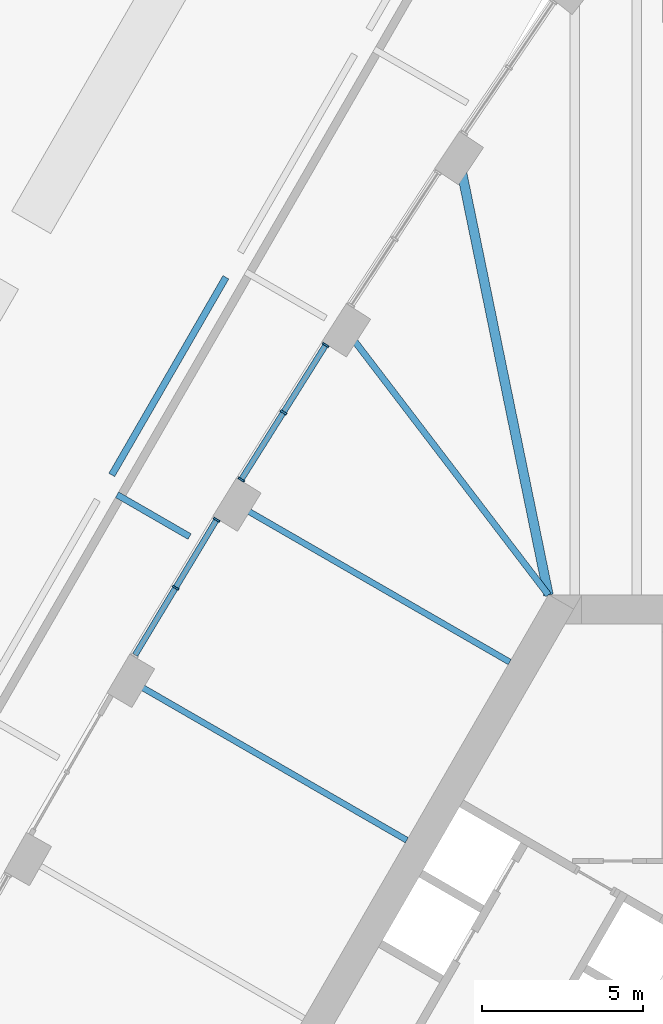
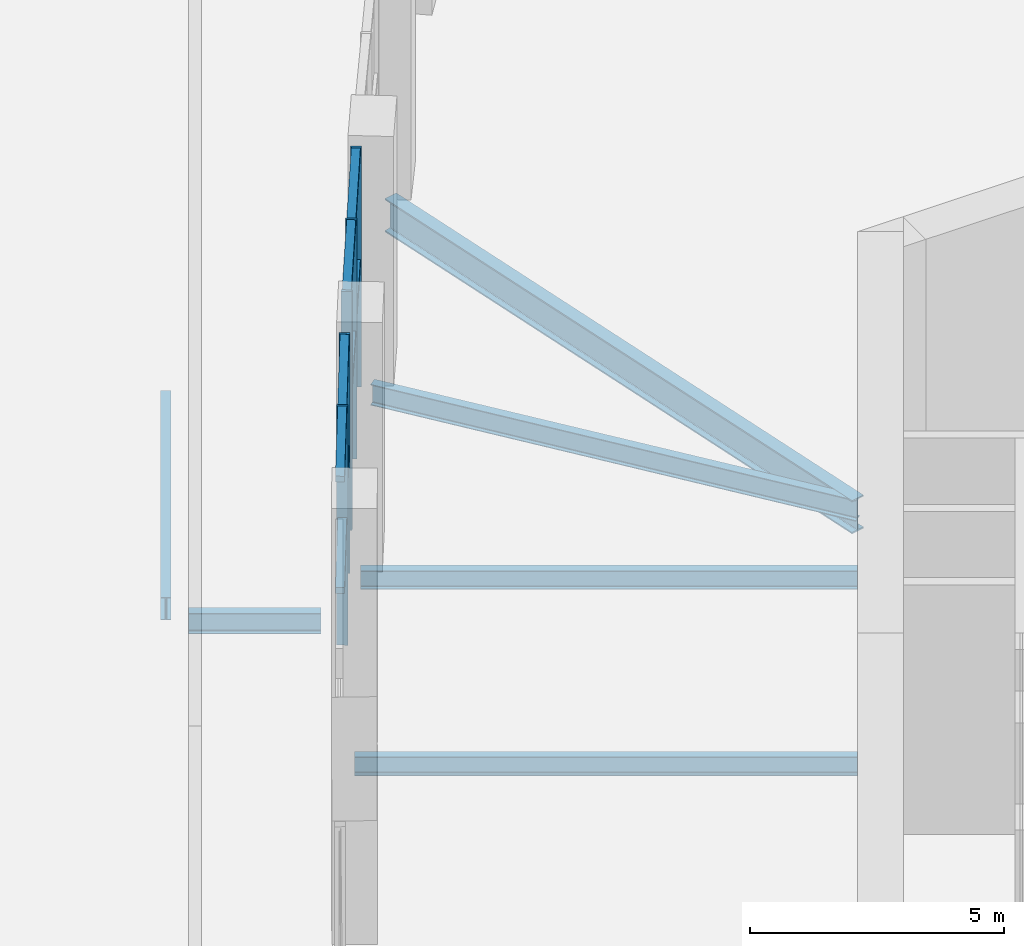
# One storey, part 10 of 41: 13 members, 6 beams, 1 element without a shape of its own.
"""IFC4 building model written with IfcOpenShell, lengths in metres."""

from ifc_helpers import new_model, si_unit, direction, frame, origin, origin_2d, place, context, subcontext, project, spatial, rectangle, i_section, extrude, material, material_profile, profile_set, type_object, element, aggregate, save


model = new_model("IFC4")

# Units and contexts
model_context = context("Model", 3, precision=1e-05, world=origin(), true_north=direction((0.0, 1.0)))
body_context = subcontext(model_context, "Body", "Model", "MODEL_VIEW")
ifc_project = project(units=[si_unit("LENGTHUNIT", "METRE"), si_unit("AREAUNIT", "SQUARE_METRE"), si_unit("VOLUMEUNIT", "CUBIC_METRE"), si_unit("PLANEANGLEUNIT", "RADIAN"), si_unit("MASSUNIT", "GRAM", prefix="KILO")], contexts=[model_context])

# Site, building, storey
site_placement = place(None, origin())
site = spatial("IfcSite", under=ifc_project, at=site_placement, CompositionType="ELEMENT")
building_placement = place(site_placement, origin())
building = spatial("IfcBuilding", under=site, at=building_placement, Name="Mestral Congress Tower", CompositionType="ELEMENT")
storey_placement = place(building_placement, frame((0.0, 0.0, 21.60009765625)))
storey = spatial("IfcBuildingStorey", under=building, at=storey_placement, Name="L04", CompositionType="ELEMENT", Elevation=21.60009765625)

# Curtain wall, members
ifc_material_1 = material(Name="Clear low-emissivity double glazing", Category="glass")
curtain_wall_type = type_object("IfcCurtainWallType", Name="Facade arrival lobby curtain wall", PredefinedType="USERDEFINED", material=ifc_material_1)
curtain_wall_placement = place(storey_placement, origin())
curtain_wall = element("IfcCurtainWall", 1, at=curtain_wall_placement, inside=storey, type_object=curtain_wall_type, Name="Facade arrival lobby curtain wall face 3", ObjectType="CURTAIN WALL", PredefinedType="USERDEFINED")
ifc_material_2 = material(Name="Anodised aluminium", Category="aluminium")
ifc_material_profile_1 = material_profile(ifc_material_2, rectangle(XDim=0.219970703125, YDim=0.06005859375, at=origin_2d()), Name="CW4 mullion 220 x 60")
ifc_profile_set_1 = profile_set([ifc_material_profile_1], Name="Anodised aluminium")
member_type_1 = type_object("IfcMemberType", Name="Facade arrival lobby curtain wall mullion", PredefinedType="MULLION", material=ifc_profile_set_1)
member_1_placement = place(storey_placement, frame((-12.181640625, 24.671142578125, 0.0), z_axis=(0.0, 0.0, 1.0), x_axis=(-0.846953079929, 0.531667640918, 0.0)))
member_1 = element("IfcMember", 2, at=member_1_placement, type_object=member_type_1, Name="Facade arrival lobby curtain wall mullion", PredefinedType="MULLION", context=body_context, shape_type="SweptSolid", body=[
    extrude(rectangle(XDim=0.219970703125, YDim=0.06005859375, at=origin_2d()), origin(), (0.0, 0.0, 1.0), 5.75),
])
member_2_placement = place(storey_placement, frame((-13.494384765625, 22.579833984375, 0.0), z_axis=(0.0, 0.0, 1.0), x_axis=(-0.846953079929, 0.531667640918, 0.0)))
member_2 = element("IfcMember", 3, at=member_2_placement, type_object=member_type_1, Name="Facade arrival lobby curtain wall mullion", PredefinedType="MULLION", context=body_context, shape_type="SweptSolid", body=[
    extrude(rectangle(XDim=0.219970703125, YDim=0.06005859375, at=origin_2d()), origin(), (0.0, 0.0, 1.0), 5.75),
])
member_3_placement = place(storey_placement, frame((-14.80712890625, 20.48876953125, 0.0), z_axis=(0.0, 0.0, 1.0), x_axis=(-0.846953079929, 0.531667640918, 0.0)))
member_3 = element("IfcMember", 4, at=member_3_placement, type_object=member_type_1, Name="Facade arrival lobby curtain wall mullion", PredefinedType="MULLION", context=body_context, shape_type="SweptSolid", body=[
    extrude(rectangle(XDim=0.219970703125, YDim=0.06005859375, at=origin_2d()), origin(), (0.0, 0.0, 1.0), 5.75),
])
member_4_placement = place(storey_placement, frame((-15.57568359375, 19.239013671875, 0.0), z_axis=(0.0, 0.0, 1.0), x_axis=(-0.856631086083, 0.515929435442, 0.0)))
member_4 = element("IfcMember", 5, at=member_4_placement, type_object=member_type_1, Name="Facade arrival lobby curtain wall mullion", PredefinedType="MULLION", context=body_context, shape_type="SweptSolid", body=[
    extrude(rectangle(XDim=0.219970703125, YDim=0.06005859375, at=origin_2d()), origin(), (0.0, 0.0, 1.0), 5.75),
])
member_5_placement = place(storey_placement, frame((-16.849609375, 17.123779296875, 0.0), z_axis=(0.0, 0.0, 1.0), x_axis=(-0.856631086083, 0.515929435442, 0.0)))
member_5 = element("IfcMember", 6, at=member_5_placement, type_object=member_type_1, Name="Facade arrival lobby curtain wall mullion", PredefinedType="MULLION", context=body_context, shape_type="SweptSolid", body=[
    extrude(rectangle(XDim=0.219970703125, YDim=0.06005859375, at=origin_2d()), origin(), (0.0, 0.0, 1.0), 5.75),
])
ifc_material_profile_2 = material_profile(ifc_material_2, rectangle(XDim=0.179931640625, YDim=0.139892578125, at=origin_2d()), Name="CW4 transom 180 x 140")
ifc_profile_set_2 = profile_set([ifc_material_profile_2], Name="Anodised aluminium")
member_type_2 = type_object("IfcMemberType", Name="Facade arrival lobby curtain wall transom", PredefinedType="USERDEFINED", material=ifc_profile_set_2)
member_6_placement = place(storey_placement, frame((-12.197509765625, 24.645751953125, 3.0), z_axis=(-0.531737706222, -0.846909092986, 0.0), x_axis=(0.846909092986, -0.531737706222, 0.0)))
member_6 = element("IfcMember", 7, at=member_6_placement, type_object=member_type_2, Name="Facade arrival lobby curtain wall transom", ObjectType="TRANSOM", PredefinedType="USERDEFINED", context=body_context, shape_type="SweptSolid", body=[
    extrude(rectangle(XDim=0.179931640625, YDim=0.139892578125, at=origin_2d()), origin(), (0.0, 0.0, 1.0), 2.4091796875),
])
member_7_placement = place(storey_placement, frame((-12.197509765625, 24.645751953125, 5.679931640625), z_axis=(-0.531737706222, -0.846909092986, 0.0), x_axis=(0.846909092986, -0.531737706222, 0.0)))
member_7 = element("IfcMember", 8, at=member_7_placement, type_object=member_type_2, Name="Facade arrival lobby curtain wall transom", ObjectType="TRANSOM", PredefinedType="USERDEFINED", context=body_context, shape_type="SweptSolid", body=[
    extrude(rectangle(XDim=0.179931640625, YDim=0.139892578125, at=origin_2d()), origin(), (0.0, 0.0, 1.0), 2.4091796875),
])
member_8_placement = place(storey_placement, frame((-13.51025390625, 22.554443359375, 3.0), z_axis=(-0.531665012804, -0.846954729699, 0.0), x_axis=(0.846954729699, -0.531665012804, 0.0)))
member_8 = element("IfcMember", 9, at=member_8_placement, type_object=member_type_2, Name="Facade arrival lobby curtain wall transom", ObjectType="TRANSOM", PredefinedType="USERDEFINED", context=body_context, shape_type="SweptSolid", body=[
    extrude(rectangle(XDim=0.179931640625, YDim=0.139892578125, at=origin_2d()), origin(), (0.0, 0.0, 1.0), 2.408935546875),
])
member_9_placement = place(storey_placement, frame((-13.51025390625, 22.554443359375, 5.679931640625), z_axis=(-0.531665012804, -0.846954729699, 0.0), x_axis=(0.846954729699, -0.531665012804, 0.0)))
member_9 = element("IfcMember", 10, at=member_9_placement, type_object=member_type_2, Name="Facade arrival lobby curtain wall transom", ObjectType="TRANSOM", PredefinedType="USERDEFINED", context=body_context, shape_type="SweptSolid", body=[
    extrude(rectangle(XDim=0.179931640625, YDim=0.139892578125, at=origin_2d()), origin(), (0.0, 0.0, 1.0), 2.408935546875),
])
member_10_placement = place(storey_placement, frame((-15.591064453125, 19.21337890625, 3.0), z_axis=(-0.51592573218, -0.856633316463, 0.0), x_axis=(0.856633316463, -0.51592573218, 0.0)))
member_10 = element("IfcMember", 11, at=member_10_placement, type_object=member_type_2, Name="Facade arrival lobby curtain wall transom", ObjectType="TRANSOM", PredefinedType="USERDEFINED", context=body_context, shape_type="SweptSolid", body=[
    extrude(rectangle(XDim=0.179931640625, YDim=0.139892578125, at=origin_2d()), origin(), (0.0, 0.0, 1.0), 2.4091796875),
])
member_11_placement = place(storey_placement, frame((-15.591064453125, 19.21337890625, 5.679931640625), z_axis=(-0.51592573218, -0.856633316463, 0.0), x_axis=(0.856633316463, -0.51592573218, 0.0)))
member_11 = element("IfcMember", 12, at=member_11_placement, type_object=member_type_2, Name="Facade arrival lobby curtain wall transom", ObjectType="TRANSOM", PredefinedType="USERDEFINED", context=body_context, shape_type="SweptSolid", body=[
    extrude(rectangle(XDim=0.179931640625, YDim=0.139892578125, at=origin_2d()), origin(), (0.0, 0.0, 1.0), 2.4091796875),
])
member_12_placement = place(storey_placement, frame((-16.864990234375, 17.09814453125, 3.0), z_axis=(-0.51592573218, -0.856633316463, 0.0), x_axis=(0.856633316463, -0.51592573218, 0.0)))
member_12 = element("IfcMember", 13, at=member_12_placement, type_object=member_type_2, Name="Facade arrival lobby curtain wall transom", ObjectType="TRANSOM", PredefinedType="USERDEFINED", context=body_context, shape_type="SweptSolid", body=[
    extrude(rectangle(XDim=0.179931640625, YDim=0.139892578125, at=origin_2d()), origin(), (0.0, 0.0, 1.0), 2.4091796875),
])
member_13_placement = place(storey_placement, frame((-16.864990234375, 17.09814453125, 5.679931640625), z_axis=(-0.51592573218, -0.856633316463, 0.0), x_axis=(0.856633316463, -0.51592573218, 0.0)))
member_13 = element("IfcMember", 14, at=member_13_placement, type_object=member_type_2, Name="Facade arrival lobby curtain wall transom", ObjectType="TRANSOM", PredefinedType="USERDEFINED", context=body_context, shape_type="SweptSolid", body=[
    extrude(rectangle(XDim=0.179931640625, YDim=0.139892578125, at=origin_2d()), origin(), (0.0, 0.0, 1.0), 2.4091796875),
])
aggregate(curtain_wall, [member_1, member_2, member_3, member_6, member_7, member_8, member_9, member_4, member_5, member_10, member_11, member_12, member_13])

# Beams
ifc_material_3 = material(Name="Steel S355", Category="steel")
ifc_material_profile_3 = material_profile(ifc_material_3, i_section(OverallWidth=0.300048828125, OverallDepth=0.800048828125, WebThickness=0.017578125, FlangeThickness=0.032958984375, FilletRadius=0.030029296875, at=origin_2d()), Name="HEB 800")
ifc_profile_set_3 = profile_set([ifc_material_profile_3], Name="Steel S355")
beam_type_1 = type_object("IfcBeamType", Name="Floor beam HEB 800 S355", PredefinedType="BEAM", material=ifc_profile_set_3)
beam_1_placement = place(storey_placement, frame((-8.03662109375, 30.4873046875, -0.800048828125), z_axis=(0.200636612505, -0.979665733668, 0.0), x_axis=(0.979665733668, 0.200636612505, 0.0)))
element("IfcBeam", 15, at=beam_1_placement, inside=storey, type_object=beam_type_1, Name="BM-L04-RB1-W01", PredefinedType="BEAM", context=body_context, shape_type="SweptSolid", body=[
    extrude(i_section(OverallWidth=0.300048828125, OverallDepth=0.800048828125, WebThickness=0.017578125, FlangeThickness=0.032958984375, FilletRadius=0.030029296875, at=origin_2d()), origin(), (0.0, 0.0, 1.0), 13.869384765625),
])
ifc_material_profile_4 = material_profile(ifc_material_3, i_section(OverallWidth=0.18994140625, OverallDepth=0.449951171875, WebThickness=0.009521484375, FlangeThickness=0.0146484375, FilletRadius=0.02099609375, at=origin_2d()), Name="IPE 450")
ifc_profile_set_4 = profile_set([ifc_material_profile_4], Name="Steel S355")
beam_type_2 = type_object("IfcBeamType", Name="Floor beam IPE 450 S355", PredefinedType="BEAM", material=ifc_profile_set_4)
beam_2_placement = place(storey_placement, frame((-14.941650390625, 19.710205078125, -0.625), z_axis=(0.866025782648, -0.499999343788, 0.0), x_axis=(0.499999343788, 0.866025782648, 0.0)))
element("IfcBeam", 16, at=beam_2_placement, inside=storey, type_object=beam_type_2, Name="BM-L04-RB1-W03", PredefinedType="BEAM", context=body_context, shape_type="SweptSolid", body=[
    extrude(i_section(OverallWidth=0.18994140625, OverallDepth=0.449951171875, WebThickness=0.009521484375, FlangeThickness=0.0146484375, FilletRadius=0.02099609375, at=origin_2d()), origin(), (0.0, 0.0, 1.0), 9.794921875),
])
beam_3_placement = place(storey_placement, frame((-18.243408203125, 14.227783203125, -0.625), z_axis=(0.866024815816, -0.500001018391, 0.0), x_axis=(0.500001018391, 0.866024815816, 0.0)))
element("IfcBeam", 17, at=beam_3_placement, inside=storey, type_object=beam_type_2, Name="BM-L04-RB1-W04", PredefinedType="BEAM", context=body_context, shape_type="SweptSolid", body=[
    extrude(i_section(OverallWidth=0.18994140625, OverallDepth=0.449951171875, WebThickness=0.009521484375, FlangeThickness=0.0146484375, FilletRadius=0.02099609375, at=origin_2d()), origin(), (0.0, 0.0, 1.0), 9.9130859375),
])
ifc_material_profile_5 = material_profile(ifc_material_3, i_section(OverallWidth=0.199951171875, OverallDepth=0.5, WebThickness=0.01025390625, FlangeThickness=0.01611328125, FilletRadius=0.02099609375, at=origin_2d()), Name="IPE 500")
ifc_profile_set_5 = profile_set([ifc_material_profile_5], Name="Steel S355")
beam_type_3 = type_object("IfcBeamType", Name="Floor beam IPE 500 S355", PredefinedType="BEAM", material=ifc_profile_set_5)
beam_4_placement = place(storey_placement, frame((-11.5390625, 25.130615234375, -0.650146484375), z_axis=(0.606906563916, -0.794773189454, 0.0), x_axis=(0.794773189454, 0.606906563916, 0.0)))
element("IfcBeam", 18, at=beam_4_placement, inside=storey, type_object=beam_type_3, Name="BM-L04-RB1-W02", PredefinedType="BEAM", context=body_context, shape_type="SweptSolid", body=[
    extrude(i_section(OverallWidth=0.199951171875, OverallDepth=0.5, WebThickness=0.01025390625, FlangeThickness=0.01611328125, FilletRadius=0.02099609375, at=origin_2d()), origin(), (0.0, 0.0, 1.0), 10.35595703125),
])
beam_5_placement = place(storey_placement, frame((-18.6708984375, 20.01708984375, -0.550048828125), z_axis=(0.86605909571, -0.499941639332, 0.0), x_axis=(0.499941639332, 0.86605909571, 0.0)))
element("IfcBeam", 19, at=beam_5_placement, inside=storey, type_object=beam_type_3, Name="BM-L04-W-K05", PredefinedType="BEAM", context=body_context, shape_type="SweptSolid", body=[
    extrude(i_section(OverallWidth=0.199951171875, OverallDepth=0.5, WebThickness=0.01025390625, FlangeThickness=0.01611328125, FilletRadius=0.02099609375, at=origin_2d()), origin(), (0.0, 0.0, 1.0), 2.603271484375),
])
ifc_material_profile_6 = material_profile(ifc_material_3, i_section(OverallWidth=0.2099609375, OverallDepth=0.550048828125, WebThickness=0.010986328125, FlangeThickness=0.01708984375, FilletRadius=0.02392578125, at=origin_2d()), Name="IPE 550")
ifc_profile_set_6 = profile_set([ifc_material_profile_6], Name="Steel S355")
beam_type_4 = type_object("IfcBeamType", Name="Floor beam IPE 550 S355", PredefinedType="BEAM", material=ifc_profile_set_6)
beam_6_placement = place(storey_placement, frame((-15.285400390625, 26.78076171875, -0.5751953125), z_axis=(-0.499996289485, -0.866027546041, 0.0), x_axis=(0.866027546041, -0.499996289485, 0.0)))
element("IfcBeam", 20, at=beam_6_placement, inside=storey, type_object=beam_type_4, Name="BM-L04-W-U04A", PredefinedType="BEAM", context=body_context, shape_type="SweptSolid", body=[
    extrude(i_section(OverallWidth=0.2099609375, OverallDepth=0.550048828125, WebThickness=0.010986328125, FlangeThickness=0.01708984375, FilletRadius=0.02392578125, at=origin_2d()), origin(), (0.0, 0.0, 1.0), 7.10009765625),
])

save(model, "model.ifc")
